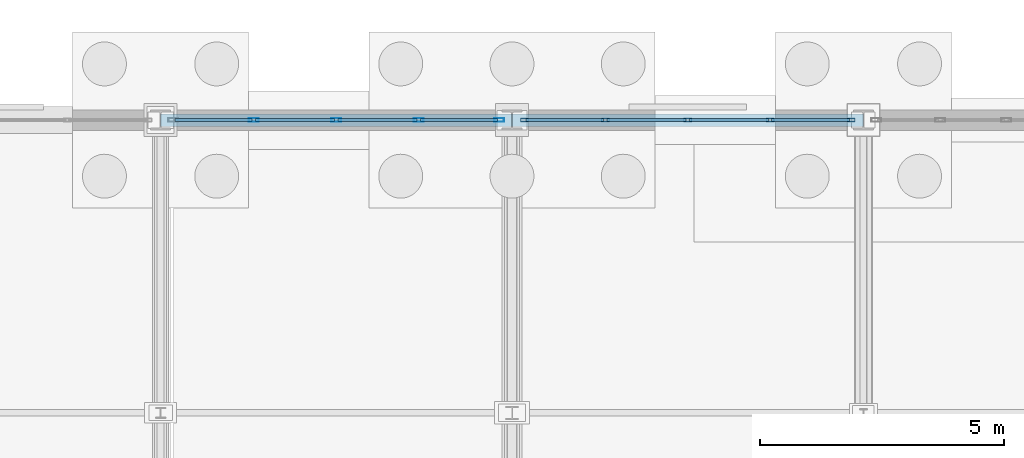
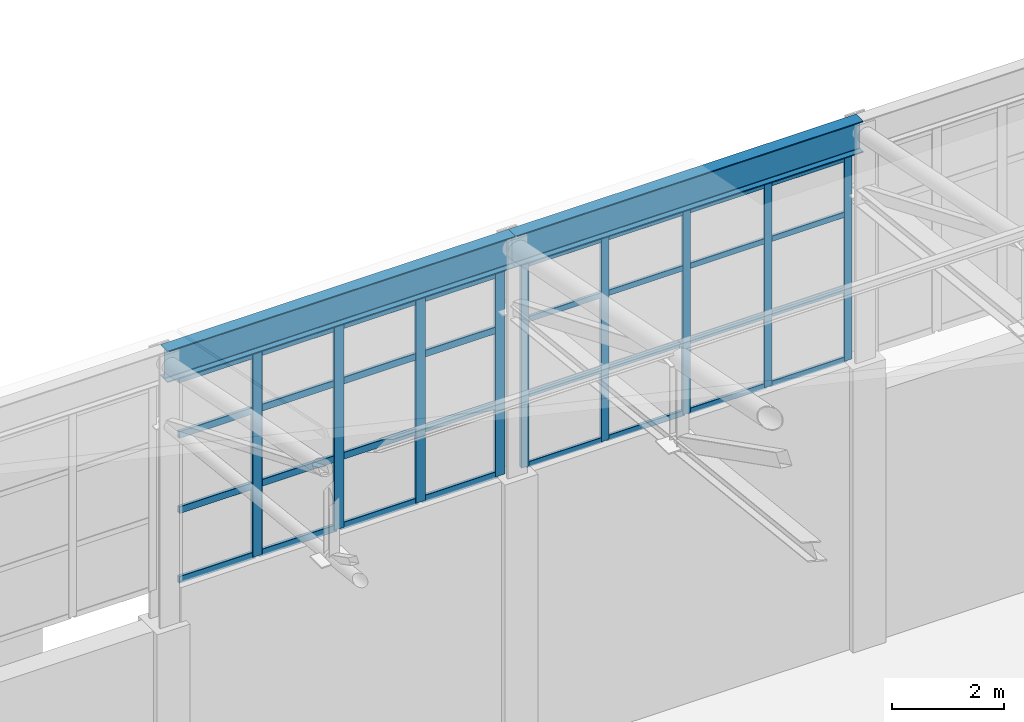
# One storey, part 229 of 293: 41 members, 2 beams, 2 elements without a shape of their own.
"""IFC4 building model written with IfcOpenShell, lengths in metres."""

from ifc_helpers import new_model, si_unit, direction, frame, origin, origin_2d, place, context, subcontext, project, spatial, hollow_rectangle, i_section, extrude, material, layer, layer_set, material_profile, profile_set, type_object, element, aggregate, save


model = new_model("IFC4")

# Units and contexts
model_context = context("Model", 3, precision=1e-05, world=origin(), true_north=direction((0.0, 1.0)))
body_context = subcontext(model_context, "Body", "Model", "MODEL_VIEW")
ifc_project = project(units=[si_unit("LENGTHUNIT", "METRE"), si_unit("AREAUNIT", "SQUARE_METRE"), si_unit("VOLUMEUNIT", "CUBIC_METRE"), si_unit("PLANEANGLEUNIT", "RADIAN"), si_unit("MASSUNIT", "GRAM", prefix="KILO")], contexts=[model_context])

# Site, building, storey
site_placement = place(None, origin())
site = spatial("IfcSite", under=ifc_project, at=site_placement, CompositionType="ELEMENT")
building_placement = place(site_placement, origin())
building = spatial("IfcBuilding", under=site, at=building_placement, Name="Kemerveld Promenade Tramway Depot", CompositionType="ELEMENT")
storey_placement = place(building_placement, origin())
storey = spatial("IfcBuildingStorey", under=building, at=storey_placement, Name="L00", CompositionType="ELEMENT", Elevation=0.0)

# Beams
ifc_material_1 = material(Name="Steel S355", Category="steel")
ifc_material_profile_1 = material_profile(ifc_material_1, i_section(OverallWidth=0.25439453125, OverallDepth=0.6875, WebThickness=0.01318359375, FlangeThickness=0.02099609375, FilletRadius=0.01513671875, at=origin_2d()), Name="686x254x152 UB")
ifc_profile_set_1 = profile_set([ifc_material_profile_1], Name="Steel S355")
beam_type = type_object("IfcBeamType", Name="BM-G03", PredefinedType="BEAM", material=ifc_profile_set_1)
beam_1_placement = place(storey_placement, frame((158.39990234375, 144.0, 11.056396484375), z_axis=(1.0, 0.0, 0.0), x_axis=(0.0, 1.0, 0.0)))
element("IfcBeam", 1, at=beam_1_placement, inside=storey, type_object=beam_type, Name="BM-SHED-EAVE-U-23", PredefinedType="BEAM", context=body_context, shape_type="SweptSolid", body=[
    extrude(i_section(OverallWidth=0.25439453125, OverallDepth=0.6875, WebThickness=0.01318359375, FlangeThickness=0.02099609375, FilletRadius=0.01513671875, at=origin_2d()), origin(), (0.0, 0.0, 1.0), 7.2001953125),
])
beam_2_placement = place(storey_placement, frame((165.60009765625, 144.0, 11.056396484375), z_axis=(1.0, 0.0, 0.0), x_axis=(0.0, 1.0, 0.0)))
element("IfcBeam", 2, at=beam_2_placement, inside=storey, type_object=beam_type, Name="BM-SHED-EAVE-U-24", PredefinedType="BEAM", context=body_context, shape_type="SweptSolid", body=[
    extrude(i_section(OverallWidth=0.25439453125, OverallDepth=0.6875, WebThickness=0.01318359375, FlangeThickness=0.02099609375, FilletRadius=0.01513671875, at=origin_2d()), origin(), (0.0, 0.0, 1.0), 7.199951171875),
])

# Curtain wall, members
ifc_material_2 = material(Name="Bronze anodised aluminium and solar glass", Category="aluminium")
ifc_layer_1 = layer(ifc_material_2, 0.159912109375)
ifc_layer_set_1 = layer_set([ifc_layer_1], Name="CW-SYS-05")
curtain_wall_type_1 = type_object("IfcCurtainWallType", Name="CW-SYS-05", PredefinedType="USERDEFINED", material=ifc_layer_set_1)
curtain_wall_1_placement = place(storey_placement, origin())
curtain_wall_1 = element("IfcCurtainWall", 3, at=curtain_wall_1_placement, inside=storey, type_object=curtain_wall_type_1, Name="CW-V1-N-19", ObjectType="GLAZED_CURTAIN_WALL", PredefinedType="USERDEFINED")
ifc_material_3 = material(Name="Bronze anodised aluminium", Category="aluminium")
ifc_material_profile_2 = material_profile(ifc_material_3, hollow_rectangle(XDim=0.06494140625, YDim=0.159912109375, WallThickness=0.00390625, InnerFilletRadius=0.001953125, OuterFilletRadius=0.00390625, at=origin_2d()), Name="CW-MUL-160x65")
ifc_profile_set_2 = profile_set([ifc_material_profile_2], Name="Bronze anodised aluminium")
member_type_1 = type_object("IfcMemberType", Name="CW-MUL-A", PredefinedType="MULLION", material=ifc_profile_set_2)
member_1_placement = place(storey_placement, frame((165.855712890625, 144.0, 6.199951171875), z_axis=(0.0, 0.0, 1.0), x_axis=(0.0, 1.0, 0.0)))
member_1 = element("IfcMember", 4, at=member_1_placement, type_object=member_type_1, Name="CW05 mullion 1", PredefinedType="MULLION", context=body_context, shape_type="SweptSolid", body=[
    extrude(hollow_rectangle(XDim=0.06494140625, YDim=0.159912109375, WallThickness=0.00390625, InnerFilletRadius=0.001953125, OuterFilletRadius=0.00390625, at=origin_2d()), origin(), (0.0, 0.0, 1.0), 4.449951171875),
])
member_2_placement = place(storey_placement, frame((167.51171875, 144.0, 6.199951171875), z_axis=(0.0, 0.0, 1.0), x_axis=(0.0, 1.0, 0.0)))
member_2 = element("IfcMember", 5, at=member_2_placement, type_object=member_type_1, Name="CW05 mullion 2", PredefinedType="MULLION", context=body_context, shape_type="SweptSolid", body=[
    extrude(hollow_rectangle(XDim=0.06494140625, YDim=0.159912109375, WallThickness=0.00390625, InnerFilletRadius=0.001953125, OuterFilletRadius=0.00390625, at=origin_2d()), origin(), (0.0, 0.0, 1.0), 4.449951171875),
])
member_3_placement = place(storey_placement, frame((169.199951171875, 144.0, 6.199951171875), z_axis=(0.0, 0.0, 1.0), x_axis=(0.0, 1.0, 0.0)))
member_3 = element("IfcMember", 6, at=member_3_placement, type_object=member_type_1, Name="CW05 mullion 3", PredefinedType="MULLION", context=body_context, shape_type="SweptSolid", body=[
    extrude(hollow_rectangle(XDim=0.06494140625, YDim=0.159912109375, WallThickness=0.00390625, InnerFilletRadius=0.001953125, OuterFilletRadius=0.00390625, at=origin_2d()), origin(), (0.0, 0.0, 1.0), 4.449951171875),
])
member_4_placement = place(storey_placement, frame((170.888427734375, 144.0, 6.199951171875), z_axis=(0.0, 0.0, 1.0), x_axis=(0.0, 1.0, 0.0)))
member_4 = element("IfcMember", 7, at=member_4_placement, type_object=member_type_1, Name="CW05 mullion 4", PredefinedType="MULLION", context=body_context, shape_type="SweptSolid", body=[
    extrude(hollow_rectangle(XDim=0.06494140625, YDim=0.159912109375, WallThickness=0.00390625, InnerFilletRadius=0.001953125, OuterFilletRadius=0.00390625, at=origin_2d()), origin(), (0.0, 0.0, 1.0), 4.449951171875),
])
member_5_placement = place(storey_placement, frame((172.544189453125, 144.0, 6.199951171875), z_axis=(0.0, 0.0, 1.0), x_axis=(0.0, 1.0, 0.0)))
member_5 = element("IfcMember", 8, at=member_5_placement, type_object=member_type_1, Name="CW05 mullion 5", PredefinedType="MULLION", context=body_context, shape_type="SweptSolid", body=[
    extrude(hollow_rectangle(XDim=0.06494140625, YDim=0.159912109375, WallThickness=0.00390625, InnerFilletRadius=0.001953125, OuterFilletRadius=0.00390625, at=origin_2d()), origin(), (0.0, 0.0, 1.0), 4.449951171875),
])

ifc_layer_2 = layer(ifc_material_2, 0.199951171875)
ifc_layer_set_2 = layer_set([ifc_layer_2], Name="CW-SYS-04")
curtain_wall_type_2 = type_object("IfcCurtainWallType", Name="CW-SYS-04", PredefinedType="USERDEFINED", material=ifc_layer_set_2)
curtain_wall_2_placement = place(storey_placement, origin())
curtain_wall_2 = element("IfcCurtainWall", 9, at=curtain_wall_2_placement, inside=storey, type_object=curtain_wall_type_2, Name="CW-V1-N-18", ObjectType="GLAZED_CURTAIN_WALL", PredefinedType="USERDEFINED")
ifc_material_profile_3 = material_profile(ifc_material_3, hollow_rectangle(XDim=0.074951171875, YDim=0.199951171875, WallThickness=0.0048828125, InnerFilletRadius=0.001953125, OuterFilletRadius=0.0048828125, at=origin_2d()), Name="CW-MUL-200x75")
ifc_profile_set_3 = profile_set([ifc_material_profile_3], Name="Bronze anodised aluminium")
member_type_2 = type_object("IfcMemberType", Name="CW-MUL-B", PredefinedType="MULLION", material=ifc_profile_set_3)
member_6_placement = place(storey_placement, frame((160.3115234375, 144.0, 6.199951171875), z_axis=(0.0, 0.0, 1.0), x_axis=(0.0, 1.0, 0.0)))
member_6 = element("IfcMember", 10, at=member_6_placement, type_object=member_type_2, Name="CW04 mullion 2", PredefinedType="MULLION", context=body_context, shape_type="SweptSolid", body=[
    extrude(hollow_rectangle(XDim=0.074951171875, YDim=0.199951171875, WallThickness=0.0048828125, InnerFilletRadius=0.001953125, OuterFilletRadius=0.0048828125, at=origin_2d()), origin(), (0.0, 0.0, 1.0), 4.449951171875),
])
member_7_placement = place(storey_placement, frame((162.0, 144.0, 6.199951171875), z_axis=(0.0, 0.0, 1.0), x_axis=(0.0, 1.0, 0.0)))
member_7 = element("IfcMember", 11, at=member_7_placement, type_object=member_type_2, Name="CW04 mullion 3", PredefinedType="MULLION", context=body_context, shape_type="SweptSolid", body=[
    extrude(hollow_rectangle(XDim=0.074951171875, YDim=0.199951171875, WallThickness=0.0048828125, InnerFilletRadius=0.001953125, OuterFilletRadius=0.0048828125, at=origin_2d()), origin(), (0.0, 0.0, 1.0), 4.449951171875),
])
member_8_placement = place(storey_placement, frame((163.6884765625, 144.0, 6.199951171875), z_axis=(0.0, 0.0, 1.0), x_axis=(0.0, 1.0, 0.0)))
member_8 = element("IfcMember", 12, at=member_8_placement, type_object=member_type_2, Name="CW04 mullion 4", PredefinedType="MULLION", context=body_context, shape_type="SweptSolid", body=[
    extrude(hollow_rectangle(XDim=0.074951171875, YDim=0.199951171875, WallThickness=0.0048828125, InnerFilletRadius=0.001953125, OuterFilletRadius=0.0048828125, at=origin_2d()), origin(), (0.0, 0.0, 1.0), 4.449951171875),
])
member_9_placement = place(storey_placement, frame((165.33935546875, 144.0, 6.199951171875), z_axis=(0.0, 0.0, 1.0), x_axis=(0.0, 1.0, 0.0)))
member_9 = element("IfcMember", 13, at=member_9_placement, type_object=member_type_2, Name="CW04 mullion 5", PredefinedType="MULLION", context=body_context, shape_type="SweptSolid", body=[
    extrude(hollow_rectangle(XDim=0.074951171875, YDim=0.199951171875, WallThickness=0.0048828125, InnerFilletRadius=0.001953125, OuterFilletRadius=0.0048828125, at=origin_2d()), origin(), (0.0, 0.0, 1.0), 4.449951171875),
])

# Member
ifc_material_profile_4 = material_profile(ifc_material_3, hollow_rectangle(XDim=0.06005859375, YDim=0.1201171875, WallThickness=0.00390625, InnerFilletRadius=0.001953125, OuterFilletRadius=0.00390625, at=origin_2d()), Name="CW-TRN-120x60")
ifc_profile_set_4 = profile_set([ifc_material_profile_4], Name="Bronze anodised aluminium")
member_type_3 = type_object("IfcMemberType", Name="CW-TRN-A", PredefinedType="USERDEFINED", material=ifc_profile_set_4)
member_10_placement = place(storey_placement, frame((165.88818359375, 144.0, 6.22998046875), z_axis=(1.0, 0.0, 0.0), x_axis=(0.0, 1.0, 0.0)))
member_10 = element("IfcMember", 14, at=member_10_placement, type_object=member_type_3, Name="CW05 transom 1.1", ObjectType="TRANSOM", PredefinedType="USERDEFINED", context=body_context, shape_type="SweptSolid", body=[
    extrude(hollow_rectangle(XDim=0.06005859375, YDim=0.1201171875, WallThickness=0.00390625, InnerFilletRadius=0.001953125, OuterFilletRadius=0.00390625, at=origin_2d()), origin(), (0.0, 0.0, 1.0), 1.5908203125),
])

member_11_placement = place(storey_placement, frame((165.88818359375, 144.0, 7.758056640625), z_axis=(1.0, 0.0, 0.0), x_axis=(0.0, 1.0, 0.0)))
member_11 = element("IfcMember", 15, at=member_11_placement, type_object=member_type_3, Name="CW05 transom 1.2", ObjectType="TRANSOM", PredefinedType="USERDEFINED", context=body_context, shape_type="SweptSolid", body=[
    extrude(hollow_rectangle(XDim=0.06005859375, YDim=0.1201171875, WallThickness=0.00390625, InnerFilletRadius=0.001953125, OuterFilletRadius=0.00390625, at=origin_2d()), origin(), (0.0, 0.0, 1.0), 1.5908203125),
])

member_12_placement = place(storey_placement, frame((165.88818359375, 144.0, 9.404052734375), z_axis=(1.0, 0.0, 0.0), x_axis=(0.0, 1.0, 0.0)))
member_12 = element("IfcMember", 16, at=member_12_placement, type_object=member_type_3, Name="CW05 transom 1.3", ObjectType="TRANSOM", PredefinedType="USERDEFINED", context=body_context, shape_type="SweptSolid", body=[
    extrude(hollow_rectangle(XDim=0.06005859375, YDim=0.1201171875, WallThickness=0.00390625, InnerFilletRadius=0.001953125, OuterFilletRadius=0.00390625, at=origin_2d()), origin(), (0.0, 0.0, 1.0), 1.5908203125),
])

member_13_placement = place(storey_placement, frame((165.88818359375, 144.0, 10.6201171875), z_axis=(1.0, 0.0, 0.0), x_axis=(0.0, 1.0, 0.0)))
member_13 = element("IfcMember", 17, at=member_13_placement, type_object=member_type_3, Name="CW05 transom 1.4", ObjectType="TRANSOM", PredefinedType="USERDEFINED", context=body_context, shape_type="SweptSolid", body=[
    extrude(hollow_rectangle(XDim=0.06005859375, YDim=0.1201171875, WallThickness=0.00390625, InnerFilletRadius=0.001953125, OuterFilletRadius=0.00390625, at=origin_2d()), origin(), (0.0, 0.0, 1.0), 1.5908203125),
])

member_14_placement = place(storey_placement, frame((167.544189453125, 144.0, 6.22998046875), z_axis=(1.0, 0.0, 0.0), x_axis=(0.0, 1.0, 0.0)))
member_14 = element("IfcMember", 18, at=member_14_placement, type_object=member_type_3, Name="CW05 transom 2.1", ObjectType="TRANSOM", PredefinedType="USERDEFINED", context=body_context, shape_type="SweptSolid", body=[
    extrude(hollow_rectangle(XDim=0.06005859375, YDim=0.1201171875, WallThickness=0.00390625, InnerFilletRadius=0.001953125, OuterFilletRadius=0.00390625, at=origin_2d()), origin(), (0.0, 0.0, 1.0), 1.623291015625),
])

member_15_placement = place(storey_placement, frame((167.544189453125, 144.0, 7.758056640625), z_axis=(1.0, 0.0, 0.0), x_axis=(0.0, 1.0, 0.0)))
member_15 = element("IfcMember", 19, at=member_15_placement, type_object=member_type_3, Name="CW05 transom 2.2", ObjectType="TRANSOM", PredefinedType="USERDEFINED", context=body_context, shape_type="SweptSolid", body=[
    extrude(hollow_rectangle(XDim=0.06005859375, YDim=0.1201171875, WallThickness=0.00390625, InnerFilletRadius=0.001953125, OuterFilletRadius=0.00390625, at=origin_2d()), origin(), (0.0, 0.0, 1.0), 1.623291015625),
])

member_16_placement = place(storey_placement, frame((167.544189453125, 144.0, 9.404052734375), z_axis=(1.0, 0.0, 0.0), x_axis=(0.0, 1.0, 0.0)))
member_16 = element("IfcMember", 20, at=member_16_placement, type_object=member_type_3, Name="CW05 transom 2.3", ObjectType="TRANSOM", PredefinedType="USERDEFINED", context=body_context, shape_type="SweptSolid", body=[
    extrude(hollow_rectangle(XDim=0.06005859375, YDim=0.1201171875, WallThickness=0.00390625, InnerFilletRadius=0.001953125, OuterFilletRadius=0.00390625, at=origin_2d()), origin(), (0.0, 0.0, 1.0), 1.623291015625),
])

member_17_placement = place(storey_placement, frame((167.544189453125, 144.0, 10.6201171875), z_axis=(1.0, 0.0, 0.0), x_axis=(0.0, 1.0, 0.0)))
member_17 = element("IfcMember", 21, at=member_17_placement, type_object=member_type_3, Name="CW05 transom 2.4", ObjectType="TRANSOM", PredefinedType="USERDEFINED", context=body_context, shape_type="SweptSolid", body=[
    extrude(hollow_rectangle(XDim=0.06005859375, YDim=0.1201171875, WallThickness=0.00390625, InnerFilletRadius=0.001953125, OuterFilletRadius=0.00390625, at=origin_2d()), origin(), (0.0, 0.0, 1.0), 1.623291015625),
])

member_18_placement = place(storey_placement, frame((169.232421875, 144.0, 6.22998046875), z_axis=(1.0, 0.0, 0.0), x_axis=(0.0, 1.0, 0.0)))
member_18 = element("IfcMember", 22, at=member_18_placement, type_object=member_type_3, Name="CW05 transom 3.1", ObjectType="TRANSOM", PredefinedType="USERDEFINED", context=body_context, shape_type="SweptSolid", body=[
    extrude(hollow_rectangle(XDim=0.06005859375, YDim=0.1201171875, WallThickness=0.00390625, InnerFilletRadius=0.001953125, OuterFilletRadius=0.00390625, at=origin_2d()), origin(), (0.0, 0.0, 1.0), 1.62353515625),
])

member_19_placement = place(storey_placement, frame((169.232421875, 144.0, 7.758056640625), z_axis=(1.0, 0.0, 0.0), x_axis=(0.0, 1.0, 0.0)))
member_19 = element("IfcMember", 23, at=member_19_placement, type_object=member_type_3, Name="CW05 transom 3.2", ObjectType="TRANSOM", PredefinedType="USERDEFINED", context=body_context, shape_type="SweptSolid", body=[
    extrude(hollow_rectangle(XDim=0.06005859375, YDim=0.1201171875, WallThickness=0.00390625, InnerFilletRadius=0.001953125, OuterFilletRadius=0.00390625, at=origin_2d()), origin(), (0.0, 0.0, 1.0), 1.62353515625),
])

member_20_placement = place(storey_placement, frame((169.232421875, 144.0, 9.404052734375), z_axis=(1.0, 0.0, 0.0), x_axis=(0.0, 1.0, 0.0)))
member_20 = element("IfcMember", 24, at=member_20_placement, type_object=member_type_3, Name="CW05 transom 3.3", ObjectType="TRANSOM", PredefinedType="USERDEFINED", context=body_context, shape_type="SweptSolid", body=[
    extrude(hollow_rectangle(XDim=0.06005859375, YDim=0.1201171875, WallThickness=0.00390625, InnerFilletRadius=0.001953125, OuterFilletRadius=0.00390625, at=origin_2d()), origin(), (0.0, 0.0, 1.0), 1.62353515625),
])

member_21_placement = place(storey_placement, frame((169.232421875, 144.0, 10.6201171875), z_axis=(1.0, 0.0, 0.0), x_axis=(0.0, 1.0, 0.0)))
member_21 = element("IfcMember", 25, at=member_21_placement, type_object=member_type_3, Name="CW05 transom 3.4", ObjectType="TRANSOM", PredefinedType="USERDEFINED", context=body_context, shape_type="SweptSolid", body=[
    extrude(hollow_rectangle(XDim=0.06005859375, YDim=0.1201171875, WallThickness=0.00390625, InnerFilletRadius=0.001953125, OuterFilletRadius=0.00390625, at=origin_2d()), origin(), (0.0, 0.0, 1.0), 1.62353515625),
])

member_22_placement = place(storey_placement, frame((170.9208984375, 144.0, 6.22998046875), z_axis=(1.0, 0.0, 0.0), x_axis=(0.0, 1.0, 0.0)))
member_22 = element("IfcMember", 26, at=member_22_placement, type_object=member_type_3, Name="CW05 transom 4.1", ObjectType="TRANSOM", PredefinedType="USERDEFINED", context=body_context, shape_type="SweptSolid", body=[
    extrude(hollow_rectangle(XDim=0.06005859375, YDim=0.1201171875, WallThickness=0.00390625, InnerFilletRadius=0.001953125, OuterFilletRadius=0.00390625, at=origin_2d()), origin(), (0.0, 0.0, 1.0), 1.5908203125),
])

member_23_placement = place(storey_placement, frame((170.9208984375, 144.0, 7.758056640625), z_axis=(1.0, 0.0, 0.0), x_axis=(0.0, 1.0, 0.0)))
member_23 = element("IfcMember", 27, at=member_23_placement, type_object=member_type_3, Name="CW05 transom 4.2", ObjectType="TRANSOM", PredefinedType="USERDEFINED", context=body_context, shape_type="SweptSolid", body=[
    extrude(hollow_rectangle(XDim=0.06005859375, YDim=0.1201171875, WallThickness=0.00390625, InnerFilletRadius=0.001953125, OuterFilletRadius=0.00390625, at=origin_2d()), origin(), (0.0, 0.0, 1.0), 1.5908203125),
])

member_24_placement = place(storey_placement, frame((170.9208984375, 144.0, 9.404052734375), z_axis=(1.0, 0.0, 0.0), x_axis=(0.0, 1.0, 0.0)))
member_24 = element("IfcMember", 28, at=member_24_placement, type_object=member_type_3, Name="CW05 transom 4.3", ObjectType="TRANSOM", PredefinedType="USERDEFINED", context=body_context, shape_type="SweptSolid", body=[
    extrude(hollow_rectangle(XDim=0.06005859375, YDim=0.1201171875, WallThickness=0.00390625, InnerFilletRadius=0.001953125, OuterFilletRadius=0.00390625, at=origin_2d()), origin(), (0.0, 0.0, 1.0), 1.5908203125),
])

member_25_placement = place(storey_placement, frame((170.9208984375, 144.0, 10.6201171875), z_axis=(1.0, 0.0, 0.0), x_axis=(0.0, 1.0, 0.0)))
member_25 = element("IfcMember", 29, at=member_25_placement, type_object=member_type_3, Name="CW05 transom 4.4", ObjectType="TRANSOM", PredefinedType="USERDEFINED", context=body_context, shape_type="SweptSolid", body=[
    extrude(hollow_rectangle(XDim=0.06005859375, YDim=0.1201171875, WallThickness=0.00390625, InnerFilletRadius=0.001953125, OuterFilletRadius=0.00390625, at=origin_2d()), origin(), (0.0, 0.0, 1.0), 1.5908203125),
])

aggregate(curtain_wall_1, [member_1, member_2, member_3, member_4, member_5, member_10, member_11, member_12, member_13, member_14, member_15, member_16, member_17, member_18, member_19, member_20, member_21, member_22, member_23, member_24, member_25])

ifc_material_profile_5 = material_profile(ifc_material_3, hollow_rectangle(XDim=0.06494140625, YDim=0.14990234375, WallThickness=0.00439453125, InnerFilletRadius=0.001953125, OuterFilletRadius=0.00439453125, at=origin_2d()), Name="CW-TRN-150x65")
ifc_profile_set_5 = profile_set([ifc_material_profile_5], Name="Bronze anodised aluminium")
member_type_4 = type_object("IfcMemberType", Name="CW-TRN-B", PredefinedType="USERDEFINED", material=ifc_profile_set_5)
member_26_placement = place(storey_placement, frame((158.6982421875, 144.0, 6.232421875), z_axis=(1.0, 0.0, 0.0), x_axis=(0.0, 1.0, 0.0)))
member_26 = element("IfcMember", 30, at=member_26_placement, type_object=member_type_4, Name="CW04 transom 1.1", ObjectType="TRANSOM", PredefinedType="USERDEFINED", context=body_context, shape_type="SweptSolid", body=[
    extrude(hollow_rectangle(XDim=0.06494140625, YDim=0.14990234375, WallThickness=0.00439453125, InnerFilletRadius=0.001953125, OuterFilletRadius=0.00439453125, at=origin_2d()), origin(), (0.0, 0.0, 1.0), 1.575927734375),
])

member_27_placement = place(storey_placement, frame((158.6982421875, 144.0, 7.758056640625), z_axis=(1.0, 0.0, 0.0), x_axis=(0.0, 1.0, 0.0)))
member_27 = element("IfcMember", 31, at=member_27_placement, type_object=member_type_4, Name="CW04 transom 1.2", ObjectType="TRANSOM", PredefinedType="USERDEFINED", context=body_context, shape_type="SweptSolid", body=[
    extrude(hollow_rectangle(XDim=0.06494140625, YDim=0.14990234375, WallThickness=0.00439453125, InnerFilletRadius=0.001953125, OuterFilletRadius=0.00439453125, at=origin_2d()), origin(), (0.0, 0.0, 1.0), 1.575927734375),
])

member_28_placement = place(storey_placement, frame((158.6982421875, 144.0, 9.404052734375), z_axis=(1.0, 0.0, 0.0), x_axis=(0.0, 1.0, 0.0)))
member_28 = element("IfcMember", 32, at=member_28_placement, type_object=member_type_4, Name="CW04 transom 1.3", ObjectType="TRANSOM", PredefinedType="USERDEFINED", context=body_context, shape_type="SweptSolid", body=[
    extrude(hollow_rectangle(XDim=0.06494140625, YDim=0.14990234375, WallThickness=0.00439453125, InnerFilletRadius=0.001953125, OuterFilletRadius=0.00439453125, at=origin_2d()), origin(), (0.0, 0.0, 1.0), 1.575927734375),
])

member_29_placement = place(storey_placement, frame((158.6982421875, 144.0, 10.617431640625), z_axis=(1.0, 0.0, 0.0), x_axis=(0.0, 1.0, 0.0)))
member_29 = element("IfcMember", 33, at=member_29_placement, type_object=member_type_4, Name="CW04 transom 1.4", ObjectType="TRANSOM", PredefinedType="USERDEFINED", context=body_context, shape_type="SweptSolid", body=[
    extrude(hollow_rectangle(XDim=0.06494140625, YDim=0.14990234375, WallThickness=0.00439453125, InnerFilletRadius=0.001953125, OuterFilletRadius=0.00439453125, at=origin_2d()), origin(), (0.0, 0.0, 1.0), 1.575927734375),
])

member_30_placement = place(storey_placement, frame((160.34912109375, 144.0, 6.232421875), z_axis=(1.0, 0.0, 0.0), x_axis=(0.0, 1.0, 0.0)))
member_30 = element("IfcMember", 34, at=member_30_placement, type_object=member_type_4, Name="CW04 transom 2.1", ObjectType="TRANSOM", PredefinedType="USERDEFINED", context=body_context, shape_type="SweptSolid", body=[
    extrude(hollow_rectangle(XDim=0.06494140625, YDim=0.14990234375, WallThickness=0.00439453125, InnerFilletRadius=0.001953125, OuterFilletRadius=0.00439453125, at=origin_2d()), origin(), (0.0, 0.0, 1.0), 1.61328125),
])

member_31_placement = place(storey_placement, frame((160.34912109375, 144.0, 7.758056640625), z_axis=(1.0, 0.0, 0.0), x_axis=(0.0, 1.0, 0.0)))
member_31 = element("IfcMember", 35, at=member_31_placement, type_object=member_type_4, Name="CW04 transom 2.2", ObjectType="TRANSOM", PredefinedType="USERDEFINED", context=body_context, shape_type="SweptSolid", body=[
    extrude(hollow_rectangle(XDim=0.06494140625, YDim=0.14990234375, WallThickness=0.00439453125, InnerFilletRadius=0.001953125, OuterFilletRadius=0.00439453125, at=origin_2d()), origin(), (0.0, 0.0, 1.0), 1.61328125),
])

member_32_placement = place(storey_placement, frame((160.34912109375, 144.0, 9.404052734375), z_axis=(1.0, 0.0, 0.0), x_axis=(0.0, 1.0, 0.0)))
member_32 = element("IfcMember", 36, at=member_32_placement, type_object=member_type_4, Name="CW04 transom 2.3", ObjectType="TRANSOM", PredefinedType="USERDEFINED", context=body_context, shape_type="SweptSolid", body=[
    extrude(hollow_rectangle(XDim=0.06494140625, YDim=0.14990234375, WallThickness=0.00439453125, InnerFilletRadius=0.001953125, OuterFilletRadius=0.00439453125, at=origin_2d()), origin(), (0.0, 0.0, 1.0), 1.61328125),
])

member_33_placement = place(storey_placement, frame((160.34912109375, 144.0, 10.617431640625), z_axis=(1.0, 0.0, 0.0), x_axis=(0.0, 1.0, 0.0)))
member_33 = element("IfcMember", 37, at=member_33_placement, type_object=member_type_4, Name="CW04 transom 2.4", ObjectType="TRANSOM", PredefinedType="USERDEFINED", context=body_context, shape_type="SweptSolid", body=[
    extrude(hollow_rectangle(XDim=0.06494140625, YDim=0.14990234375, WallThickness=0.00439453125, InnerFilletRadius=0.001953125, OuterFilletRadius=0.00439453125, at=origin_2d()), origin(), (0.0, 0.0, 1.0), 1.61328125),
])

member_34_placement = place(storey_placement, frame((162.03759765625, 144.0, 6.232421875), z_axis=(1.0, 0.0, 0.0), x_axis=(0.0, 1.0, 0.0)))
member_34 = element("IfcMember", 38, at=member_34_placement, type_object=member_type_4, Name="CW04 transom 3.1", ObjectType="TRANSOM", PredefinedType="USERDEFINED", context=body_context, shape_type="SweptSolid", body=[
    extrude(hollow_rectangle(XDim=0.06494140625, YDim=0.14990234375, WallThickness=0.00439453125, InnerFilletRadius=0.001953125, OuterFilletRadius=0.00439453125, at=origin_2d()), origin(), (0.0, 0.0, 1.0), 1.61328125),
])

member_35_placement = place(storey_placement, frame((162.03759765625, 144.0, 7.758056640625), z_axis=(1.0, 0.0, 0.0), x_axis=(0.0, 1.0, 0.0)))
member_35 = element("IfcMember", 39, at=member_35_placement, type_object=member_type_4, Name="CW04 transom 3.2", ObjectType="TRANSOM", PredefinedType="USERDEFINED", context=body_context, shape_type="SweptSolid", body=[
    extrude(hollow_rectangle(XDim=0.06494140625, YDim=0.14990234375, WallThickness=0.00439453125, InnerFilletRadius=0.001953125, OuterFilletRadius=0.00439453125, at=origin_2d()), origin(), (0.0, 0.0, 1.0), 1.61328125),
])

member_36_placement = place(storey_placement, frame((162.03759765625, 144.0, 9.404052734375), z_axis=(1.0, 0.0, 0.0), x_axis=(0.0, 1.0, 0.0)))
member_36 = element("IfcMember", 40, at=member_36_placement, type_object=member_type_4, Name="CW04 transom 3.3", ObjectType="TRANSOM", PredefinedType="USERDEFINED", context=body_context, shape_type="SweptSolid", body=[
    extrude(hollow_rectangle(XDim=0.06494140625, YDim=0.14990234375, WallThickness=0.00439453125, InnerFilletRadius=0.001953125, OuterFilletRadius=0.00439453125, at=origin_2d()), origin(), (0.0, 0.0, 1.0), 1.61328125),
])

member_37_placement = place(storey_placement, frame((162.03759765625, 144.0, 10.617431640625), z_axis=(1.0, 0.0, 0.0), x_axis=(0.0, 1.0, 0.0)))
member_37 = element("IfcMember", 41, at=member_37_placement, type_object=member_type_4, Name="CW04 transom 3.4", ObjectType="TRANSOM", PredefinedType="USERDEFINED", context=body_context, shape_type="SweptSolid", body=[
    extrude(hollow_rectangle(XDim=0.06494140625, YDim=0.14990234375, WallThickness=0.00439453125, InnerFilletRadius=0.001953125, OuterFilletRadius=0.00439453125, at=origin_2d()), origin(), (0.0, 0.0, 1.0), 1.61328125),
])

member_38_placement = place(storey_placement, frame((163.725830078125, 144.0, 6.232421875), z_axis=(1.0, 0.0, 0.0), x_axis=(0.0, 1.0, 0.0)))
member_38 = element("IfcMember", 42, at=member_38_placement, type_object=member_type_4, Name="CW04 transom 4.1", ObjectType="TRANSOM", PredefinedType="USERDEFINED", context=body_context, shape_type="SweptSolid", body=[
    extrude(hollow_rectangle(XDim=0.06494140625, YDim=0.14990234375, WallThickness=0.00439453125, InnerFilletRadius=0.001953125, OuterFilletRadius=0.00439453125, at=origin_2d()), origin(), (0.0, 0.0, 1.0), 1.575927734375),
])

member_39_placement = place(storey_placement, frame((163.725830078125, 144.0, 7.758056640625), z_axis=(1.0, 0.0, 0.0), x_axis=(0.0, 1.0, 0.0)))
member_39 = element("IfcMember", 43, at=member_39_placement, type_object=member_type_4, Name="CW04 transom 4.2", ObjectType="TRANSOM", PredefinedType="USERDEFINED", context=body_context, shape_type="SweptSolid", body=[
    extrude(hollow_rectangle(XDim=0.06494140625, YDim=0.14990234375, WallThickness=0.00439453125, InnerFilletRadius=0.001953125, OuterFilletRadius=0.00439453125, at=origin_2d()), origin(), (0.0, 0.0, 1.0), 1.575927734375),
])

member_40_placement = place(storey_placement, frame((163.725830078125, 144.0, 9.404052734375), z_axis=(1.0, 0.0, 0.0), x_axis=(0.0, 1.0, 0.0)))
member_40 = element("IfcMember", 44, at=member_40_placement, type_object=member_type_4, Name="CW04 transom 4.3", ObjectType="TRANSOM", PredefinedType="USERDEFINED", context=body_context, shape_type="SweptSolid", body=[
    extrude(hollow_rectangle(XDim=0.06494140625, YDim=0.14990234375, WallThickness=0.00439453125, InnerFilletRadius=0.001953125, OuterFilletRadius=0.00439453125, at=origin_2d()), origin(), (0.0, 0.0, 1.0), 1.575927734375),
])

member_41_placement = place(storey_placement, frame((163.725830078125, 144.0, 10.617431640625), z_axis=(1.0, 0.0, 0.0), x_axis=(0.0, 1.0, 0.0)))
member_41 = element("IfcMember", 45, at=member_41_placement, type_object=member_type_4, Name="CW04 transom 4.4", ObjectType="TRANSOM", PredefinedType="USERDEFINED", context=body_context, shape_type="SweptSolid", body=[
    extrude(hollow_rectangle(XDim=0.06494140625, YDim=0.14990234375, WallThickness=0.00439453125, InnerFilletRadius=0.001953125, OuterFilletRadius=0.00439453125, at=origin_2d()), origin(), (0.0, 0.0, 1.0), 1.575927734375),
])

aggregate(curtain_wall_2, [member_6, member_7, member_8, member_9, member_26, member_27, member_28, member_29, member_30, member_31, member_32, member_33, member_34, member_35, member_36, member_37, member_38, member_39, member_40, member_41])

save(model, "model.ifc")
